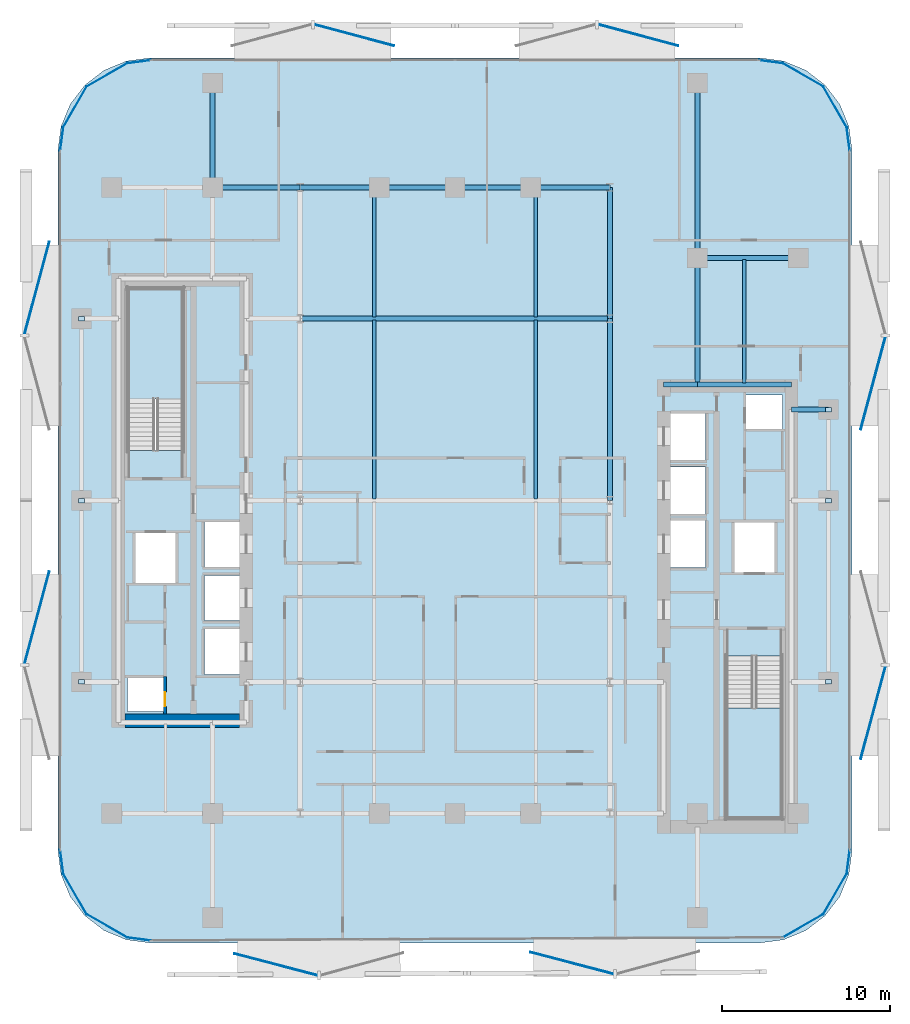
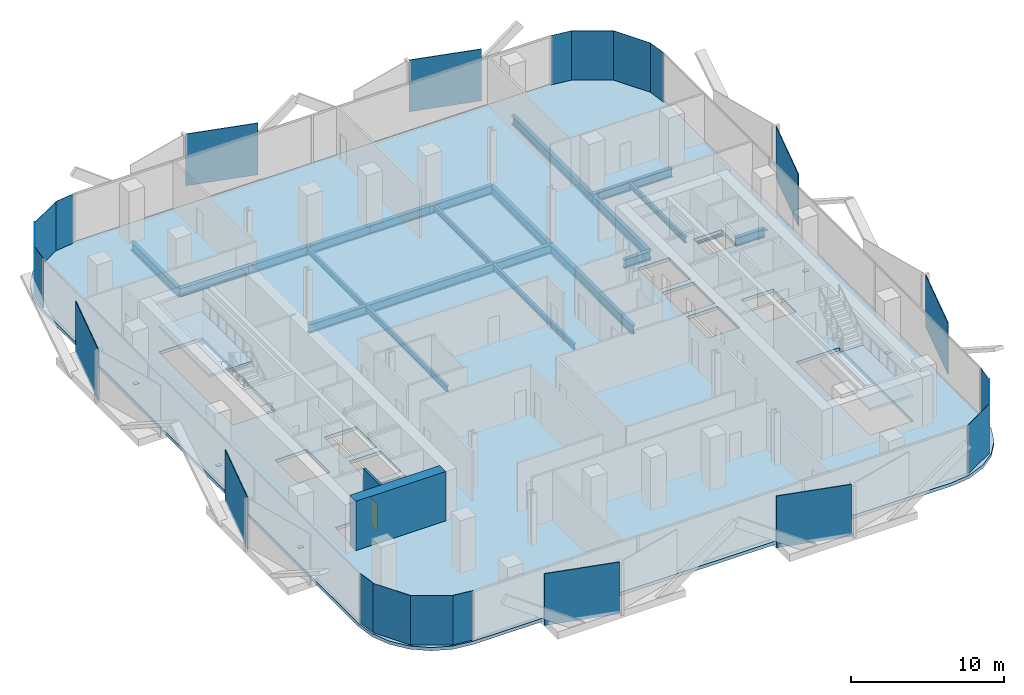
# One storey, part 2 of 15: 29 plates, 20 beams, 3 slabs, 2 walls, 1 door, 1 opening, 2 elements without a shape of their own.
"""IFC4 building model written with IfcOpenShell, lengths in metres."""

from ifc_helpers import new_model, si_unit, direction, frame, frame_2d, origin, origin_2d, place, context, subcontext, project, spatial, polyline, rectangle, i_section, outline, extrude, material, layer, layer_set, material_profile, profile_set, type_object, element, fill, aggregate, save


model = new_model("IFC4")

# Units and contexts
model_context = context("Model", 3, precision=1e-05, world=origin(), true_north=direction((0.0, 1.0)))
body_context = subcontext(model_context, "Body", "Model", "MODEL_VIEW")
ifc_project = project(units=[si_unit("LENGTHUNIT", "METRE"), si_unit("AREAUNIT", "SQUARE_METRE"), si_unit("VOLUMEUNIT", "CUBIC_METRE"), si_unit("PLANEANGLEUNIT", "RADIAN"), si_unit("MASSUNIT", "GRAM", prefix="KILO")], contexts=[model_context])

# Site, building, storey
site_placement = place(None, origin())
site = spatial("IfcSite", under=ifc_project, at=site_placement, CompositionType="ELEMENT")
building_placement = place(site_placement, origin())
building = spatial("IfcBuilding", under=site, at=building_placement, Name="Khairoan Windgate Tower", CompositionType="ELEMENT")
storey_placement = place(building_placement, frame((0.0, 0.0, 126.800048828125)))
storey = spatial("IfcBuildingStorey", under=building, at=storey_placement, Name="L29", CompositionType="ELEMENT", Elevation=126.800048828125)

# Beams
ifc_material_1 = material(Name="Steel S355", Category="steel")
ifc_material_profile_1 = material_profile(ifc_material_1, i_section(OverallWidth=0.300048828125, OverallDepth=0.699951171875, WebThickness=0.012939453125, FlangeThickness=0.02392578125, FilletRadius=0.02587890625, at=origin_2d()))
ifc_profile_set_1 = profile_set([ifc_material_profile_1], Name="Steel S355")
beam_type_1 = type_object("IfcBeamType", Name="Beam B-G3 H700x300x13x24", PredefinedType="BEAM", material=ifc_profile_set_1)
beam_1_placement = place(storey_placement, frame((20.0, 5.39990234375, -0.610107421875), z_axis=(1.0, 0.0, 0.0), x_axis=(0.0, 1.0, 0.0)))
element("IfcBeam", 1, at=beam_1_placement, inside=storey, type_object=beam_type_1, Name="L29 E-W Primary Girder 19", PredefinedType="BEAM", context=body_context, shape_type="SweptSolid", body=[
    extrude(i_section(OverallWidth=0.300048828125, OverallDepth=0.699951171875, WebThickness=0.012939453125, FlangeThickness=0.02392578125, FilletRadius=0.02587890625, at=origin_2d()), origin(), (0.0, 0.0, 1.0), 2.199951171875),
])
beam_2_placement = place(storey_placement, frame((12.39990234375, 6.89990234375, -0.610107421875), z_axis=(1.0, 0.0, 0.0), x_axis=(0.0, 1.0, 0.0)))
element("IfcBeam", 2, at=beam_2_placement, inside=storey, type_object=beam_type_1, Name="L29 E-W Primary Girder 20", PredefinedType="BEAM", context=body_context, shape_type="SweptSolid", body=[
    extrude(i_section(OverallWidth=0.300048828125, OverallDepth=0.699951171875, WebThickness=0.012939453125, FlangeThickness=0.02392578125, FilletRadius=0.02587890625, at=origin_2d()), origin(), (0.0, 0.0, 1.0), 2.0),
])
beam_3_placement = place(storey_placement, frame((14.39990234375, 6.89990234375, -0.610107421875), z_axis=(1.0, 0.0, 0.0), x_axis=(0.0, 1.0, 0.0)))
element("IfcBeam", 3, at=beam_3_placement, inside=storey, type_object=beam_type_1, Name="L29 E-W Primary Girder 21", PredefinedType="BEAM", context=body_context, shape_type="SweptSolid", body=[
    extrude(i_section(OverallWidth=0.300048828125, OverallDepth=0.699951171875, WebThickness=0.012939453125, FlangeThickness=0.02392578125, FilletRadius=0.02587890625, at=origin_2d()), origin(), (0.0, 0.0, 1.0), 5.60009765625),
])
beam_4_placement = place(storey_placement, frame((-9.199951171875, 10.800048828125, -0.610107421875), z_axis=(1.0, 0.0, 0.0), x_axis=(0.0, 1.0, 0.0)))
element("IfcBeam", 4, at=beam_4_placement, inside=storey, type_object=beam_type_1, Name="L29 E-W Primary Girder 24", PredefinedType="BEAM", context=body_context, shape_type="SweptSolid", body=[
    extrude(i_section(OverallWidth=0.300048828125, OverallDepth=0.699951171875, WebThickness=0.012939453125, FlangeThickness=0.02392578125, FilletRadius=0.02587890625, at=origin_2d()), origin(), (0.0, 0.0, 1.0), 18.39990234375),
])
beam_5_placement = place(storey_placement, frame((14.39990234375, 14.39990234375, -0.610107421875), z_axis=(1.0, 0.0, 0.0), x_axis=(0.0, 1.0, 0.0)))
element("IfcBeam", 5, at=beam_5_placement, inside=storey, type_object=beam_type_1, Name="L29 E-W Primary Girder 27", PredefinedType="BEAM", context=body_context, shape_type="SweptSolid", body=[
    extrude(i_section(OverallWidth=0.300048828125, OverallDepth=0.699951171875, WebThickness=0.012939453125, FlangeThickness=0.02392578125, FilletRadius=0.02587890625, at=origin_2d()), origin(), (0.0, 0.0, 1.0), 6.0),
])
beam_6_placement = place(storey_placement, frame((-14.39990234375, 18.60009765625, -0.610107421875), z_axis=(1.0, 0.0, 0.0), x_axis=(0.0, 1.0, 0.0)))
element("IfcBeam", 6, at=beam_6_placement, inside=storey, type_object=beam_type_1, Name="L29 E-W Primary Girder 29", PredefinedType="BEAM", context=body_context, shape_type="SweptSolid", body=[
    extrude(i_section(OverallWidth=0.300048828125, OverallDepth=0.699951171875, WebThickness=0.012939453125, FlangeThickness=0.02392578125, FilletRadius=0.02587890625, at=origin_2d()), origin(), (0.0, 0.0, 1.0), 5.199951171875),
])
beam_7_placement = place(storey_placement, frame((-9.199951171875, 18.60009765625, -0.610107421875), z_axis=(1.0, 0.0, 0.0), x_axis=(0.0, 1.0, 0.0)))
element("IfcBeam", 7, at=beam_7_placement, inside=storey, type_object=beam_type_1, Name="L29 E-W Primary Girder 30", PredefinedType="BEAM", context=body_context, shape_type="SweptSolid", body=[
    extrude(i_section(OverallWidth=0.300048828125, OverallDepth=0.699951171875, WebThickness=0.012939453125, FlangeThickness=0.02392578125, FilletRadius=0.02587890625, at=origin_2d()), origin(), (0.0, 0.0, 1.0), 4.699951171875),
])
for number, where, z_axis, x_axis, name in (
    (8, (-4.5, 18.60009765625, -0.610107421875), (1.0, 0.0, 0.0), (0.0, 1.0, 0.0), "L29 E-W Primary Girder 31"),
    (9, (0.0, 18.60009765625, -0.610107421875), (1.0, 0.0, 0.0), (0.0, 1.0, 0.0), "L29 E-W Primary Girder 32"),
):
    element("IfcBeam", number, at=place(storey_placement, frame(where, z_axis=z_axis, x_axis=x_axis)), inside=storey, type_object=beam_type_1, Name=name, PredefinedType="BEAM", context=body_context, shape_type="SweptSolid", body=[
        extrude(i_section(OverallWidth=0.300048828125, OverallDepth=0.699951171875, WebThickness=0.012939453125, FlangeThickness=0.02392578125, FilletRadius=0.02587890625, at=origin_2d()), origin(), (0.0, 0.0, 1.0), 4.5),
    ])
beam_8_placement = place(storey_placement, frame((4.5, 18.60009765625, -0.610107421875), z_axis=(1.0, 0.0, 0.0), x_axis=(0.0, 1.0, 0.0)))
element("IfcBeam", 10, at=beam_8_placement, inside=storey, type_object=beam_type_1, Name="L29 E-W Primary Girder 33", PredefinedType="BEAM", context=body_context, shape_type="SweptSolid", body=[
    extrude(i_section(OverallWidth=0.300048828125, OverallDepth=0.699951171875, WebThickness=0.012939453125, FlangeThickness=0.02392578125, FilletRadius=0.02587890625, at=origin_2d()), origin(), (0.0, 0.0, 1.0), 4.699951171875),
])
beam_9_placement = place(storey_placement, frame((-14.39990234375, 18.60009765625, -0.610107421875), z_axis=(0.0, 1.0, 0.0), x_axis=(-1.0, 0.0, 0.0)))
element("IfcBeam", 11, at=beam_9_placement, inside=storey, type_object=beam_type_1, Name="L29 N-S Primary Beam 43", PredefinedType="BEAM", context=body_context, shape_type="SweptSolid", body=[
    extrude(i_section(OverallWidth=0.300048828125, OverallDepth=0.699951171875, WebThickness=0.012939453125, FlangeThickness=0.02392578125, FilletRadius=0.02587890625, at=origin_2d()), origin(), (0.0, 0.0, 1.0), 6.199951171875),
])
beam_10_placement = place(storey_placement, frame((9.199951171875, 0.0, -0.610107421875), z_axis=(0.0, 1.0, 0.0), x_axis=(-1.0, 0.0, 0.0)))
element("IfcBeam", 12, at=beam_10_placement, inside=storey, type_object=beam_type_1, Name="L29 N-S Primary Beam 53", PredefinedType="BEAM", context=body_context, shape_type="SweptSolid", body=[
    extrude(i_section(OverallWidth=0.300048828125, OverallDepth=0.699951171875, WebThickness=0.012939453125, FlangeThickness=0.02392578125, FilletRadius=0.02587890625, at=origin_2d()), origin(), (0.0, 0.0, 1.0), 10.800048828125),
])
beam_11_placement = place(storey_placement, frame((9.199951171875, 10.800048828125, -0.610107421875), z_axis=(0.0, 1.0, 0.0), x_axis=(-1.0, 0.0, 0.0)))
element("IfcBeam", 13, at=beam_11_placement, inside=storey, type_object=beam_type_1, Name="L29 N-S Primary Beam 54", PredefinedType="BEAM", context=body_context, shape_type="SweptSolid", body=[
    extrude(i_section(OverallWidth=0.300048828125, OverallDepth=0.699951171875, WebThickness=0.012939453125, FlangeThickness=0.02392578125, FilletRadius=0.02587890625, at=origin_2d()), origin(), (0.0, 0.0, 1.0), 7.800048828125),
])
beam_12_placement = place(storey_placement, frame((14.39990234375, 6.89990234375, -0.610107421875), z_axis=(0.0, 1.0, 0.0), x_axis=(-1.0, 0.0, 0.0)))
element("IfcBeam", 14, at=beam_12_placement, inside=storey, type_object=beam_type_1, Name="L29 N-S Primary Beam 57", PredefinedType="BEAM", context=body_context, shape_type="SweptSolid", body=[
    extrude(i_section(OverallWidth=0.300048828125, OverallDepth=0.699951171875, WebThickness=0.012939453125, FlangeThickness=0.02392578125, FilletRadius=0.02587890625, at=origin_2d()), origin(), (0.0, 0.0, 1.0), 7.5),
])
beam_13_placement = place(storey_placement, frame((14.39990234375, 14.39990234375, -0.610107421875), z_axis=(0.0, 1.0, 0.0), x_axis=(-1.0, 0.0, 0.0)))
element("IfcBeam", 15, at=beam_13_placement, inside=storey, type_object=beam_type_1, Name="L29 N-S Primary Beam 58", PredefinedType="BEAM", context=body_context, shape_type="SweptSolid", body=[
    extrude(i_section(OverallWidth=0.300048828125, OverallDepth=0.699951171875, WebThickness=0.012939453125, FlangeThickness=0.02392578125, FilletRadius=0.02587890625, at=origin_2d()), origin(), (0.0, 0.0, 1.0), 10.400146484375),
])
ifc_material_2 = material(Name="Steel S355", Category="steel")
ifc_material_profile_2 = material_profile(ifc_material_2, i_section(OverallWidth=0.199951171875, OverallDepth=0.449951171875, WebThickness=0.009033203125, FlangeThickness=0.013916015625, FilletRadius=0.01806640625, at=origin_2d()))
ifc_profile_set_2 = profile_set([ifc_material_profile_2], Name="Steel S355")
beam_type_2 = type_object("IfcBeamType", Name="Beam J-S3 H450x200x9x14", PredefinedType="JOIST", material=ifc_profile_set_2)
beam_14_placement = place(storey_placement, frame((-4.800048828125, 0.090087890625, -0.485107421875), z_axis=(0.0, 1.0, 0.0), x_axis=(-1.0, 0.0, 0.0)))
element("IfcBeam", 16, at=beam_14_placement, inside=storey, type_object=beam_type_2, Name="L29 Secondary Floor Joist 05", PredefinedType="JOIST", context=body_context, shape_type="SweptSolid", body=[
    extrude(i_section(OverallWidth=0.199951171875, OverallDepth=0.449951171875, WebThickness=0.009033203125, FlangeThickness=0.013916015625, FilletRadius=0.01806640625, at=origin_2d()), origin(), (0.0, 0.0, 1.0), 10.619873046875),
])
beam_15_placement = place(storey_placement, frame((-4.800048828125, 10.889892578125, -0.485107421875), z_axis=(0.0, 1.0, 0.0), x_axis=(-1.0, 0.0, 0.0)))
element("IfcBeam", 17, at=beam_15_placement, inside=storey, type_object=beam_type_2, Name="L29 Secondary Floor Joist 06", PredefinedType="JOIST", context=body_context, shape_type="SweptSolid", body=[
    extrude(i_section(OverallWidth=0.199951171875, OverallDepth=0.449951171875, WebThickness=0.009033203125, FlangeThickness=0.013916015625, FilletRadius=0.01806640625, at=origin_2d()), origin(), (0.0, 0.0, 1.0), 7.6201171875),
])
beam_16_placement = place(storey_placement, frame((4.800048828125, 0.090087890625, -0.485107421875), z_axis=(0.0, 1.0, 0.0), x_axis=(-1.0, 0.0, 0.0)))
element("IfcBeam", 18, at=beam_16_placement, inside=storey, type_object=beam_type_2, Name="L29 Secondary Floor Joist 09", PredefinedType="JOIST", context=body_context, shape_type="SweptSolid", body=[
    extrude(i_section(OverallWidth=0.199951171875, OverallDepth=0.449951171875, WebThickness=0.009033203125, FlangeThickness=0.013916015625, FilletRadius=0.01806640625, at=origin_2d()), origin(), (0.0, 0.0, 1.0), 10.619873046875),
])
beam_17_placement = place(storey_placement, frame((4.800048828125, 10.889892578125, -0.485107421875), z_axis=(0.0, 1.0, 0.0), x_axis=(-1.0, 0.0, 0.0)))
element("IfcBeam", 19, at=beam_17_placement, inside=storey, type_object=beam_type_2, Name="L29 Secondary Floor Joist 10", PredefinedType="JOIST", context=body_context, shape_type="SweptSolid", body=[
    extrude(i_section(OverallWidth=0.199951171875, OverallDepth=0.449951171875, WebThickness=0.009033203125, FlangeThickness=0.013916015625, FilletRadius=0.01806640625, at=origin_2d()), origin(), (0.0, 0.0, 1.0), 7.6201171875),
])
beam_18_placement = place(storey_placement, frame((17.199951171875, 6.989990234375, -0.485107421875), z_axis=(0.0, 1.0, 0.0), x_axis=(-1.0, 0.0, 0.0)))
element("IfcBeam", 20, at=beam_18_placement, inside=storey, type_object=beam_type_2, Name="L29 Secondary Floor Joist 11", PredefinedType="JOIST", context=body_context, shape_type="SweptSolid", body=[
    extrude(i_section(OverallWidth=0.199951171875, OverallDepth=0.449951171875, WebThickness=0.009033203125, FlangeThickness=0.013916015625, FilletRadius=0.01806640625, at=origin_2d()), origin(), (0.0, 0.0, 1.0), 7.320068359375),
])

# Plates
ifc_material_3 = material(Name="Low-E Solar Control Laminated Glass", Category="glass")
ifc_layer_1 = layer(ifc_material_3, 0.030029296875, Name="Low-E Solar Control Laminated Glass")
ifc_layer_set_1 = layer_set([ifc_layer_1], Name="Low-E Solar Control Laminated Glass")
plate_type_1 = type_object("IfcPlateType", Name="Aerodynamic Wind-Corner Curved Glazing Plate", PredefinedType="USERDEFINED", material=ifc_layer_set_1)
plate_placement = place(storey_placement, frame((-18.788818359375, -26.068115234375, 0.0), z_axis=(0.0, 0.0, 1.0), x_axis=(-0.991444861374, 0.13052619222, 0.0)))
element("IfcPlate", 21, at=plate_placement, inside=storey, type_object=plate_type_1, Name="L29 Aerodynamic Wind-Corner Curved Glazing Panel 2", ObjectType="GLAZING PANEL", PredefinedType="USERDEFINED", context=body_context, shape_type="SweptSolid", body=[
    extrude(rectangle(XDim=1.4482421875, YDim=0.028076171875, at=origin_2d()), origin(), (0.0, 0.0, 1.0), 3.93994140625),
])
for number, where, z_axis, x_axis, name in (
    (22, (-20.688232421875, -25.28271484375, 0.0), (0.0, 0.0, 1.0), (-0.866025403784, 0.5, 0.0), "L29 Aerodynamic Wind-Corner Curved Glazing Panel 3"),
    (23, (-22.582763671875, -23.38818359375, 0.0), (0.0, 0.0, 1.0), (-0.5, 0.866025403784, 0.0), "L29 Aerodynamic Wind-Corner Curved Glazing Panel 4"),
):
    element("IfcPlate", number, at=place(storey_placement, frame(where, z_axis=z_axis, x_axis=x_axis)), inside=storey, type_object=plate_type_1, Name=name, ObjectType="GLAZING PANEL", PredefinedType="USERDEFINED", context=body_context, shape_type="SweptSolid", body=[
        extrude(rectangle(XDim=2.81396484375, YDim=0.028076171875, at=origin_2d()), origin(), (0.0, 0.0, 1.0), 3.93994140625),
    ])
for number, where, z_axis, x_axis, name in (
    (24, (-23.3681640625, -21.489013671875, 0.0), (0.0, 0.0, 1.0), (-0.13052619222, 0.991444861374, 0.0), "L29 Aerodynamic Wind-Corner Curved Glazing Panel 5"),
    (25, (-23.3681640625, 21.489013671875, 0.0), (0.0, 0.0, 1.0), (0.13052619222, 0.991444861374, 0.0), "L29 Aerodynamic Wind-Corner Curved Glazing Panel 7"),
):
    element("IfcPlate", number, at=place(storey_placement, frame(where, z_axis=z_axis, x_axis=x_axis)), inside=storey, type_object=plate_type_1, Name=name, ObjectType="GLAZING PANEL", PredefinedType="USERDEFINED", context=body_context, shape_type="SweptSolid", body=[
        extrude(rectangle(XDim=1.4482421875, YDim=0.028076171875, at=origin_2d()), origin(), (0.0, 0.0, 1.0), 3.93994140625),
    ])
for number, where, z_axis, x_axis, name in (
    (26, (-22.582763671875, 23.38818359375, 0.0), (0.0, 0.0, 1.0), (0.5, 0.866025403784, 0.0), "L29 Aerodynamic Wind-Corner Curved Glazing Panel 8"),
    (27, (-20.688232421875, 25.28271484375, 0.0), (0.0, 0.0, 1.0), (0.866025403784, 0.5, 0.0), "L29 Aerodynamic Wind-Corner Curved Glazing Panel 9"),
):
    element("IfcPlate", number, at=place(storey_placement, frame(where, z_axis=z_axis, x_axis=x_axis)), inside=storey, type_object=plate_type_1, Name=name, ObjectType="GLAZING PANEL", PredefinedType="USERDEFINED", context=body_context, shape_type="SweptSolid", body=[
        extrude(rectangle(XDim=2.81396484375, YDim=0.028076171875, at=origin_2d()), origin(), (0.0, 0.0, 1.0), 3.93994140625),
    ])
for number, where, z_axis, x_axis, name in (
    (28, (-18.788818359375, 26.068115234375, 0.0), (0.0, 0.0, 1.0), (0.991444861374, 0.13052619222, 0.0), "L29 Aerodynamic Wind-Corner Curved Glazing Panel 10"),
    (29, (18.788818359375, 26.068115234375, 0.0), (0.0, 0.0, 1.0), (0.991444861374, -0.13052619222, 0.0), "L29 Aerodynamic Wind-Corner Curved Glazing Panel 12"),
):
    element("IfcPlate", number, at=place(storey_placement, frame(where, z_axis=z_axis, x_axis=x_axis)), inside=storey, type_object=plate_type_1, Name=name, ObjectType="GLAZING PANEL", PredefinedType="USERDEFINED", context=body_context, shape_type="SweptSolid", body=[
        extrude(rectangle(XDim=1.4482421875, YDim=0.028076171875, at=origin_2d()), origin(), (0.0, 0.0, 1.0), 3.93994140625),
    ])
for number, where, z_axis, x_axis, name in (
    (30, (20.688232421875, 25.28271484375, 0.0), (0.0, 0.0, 1.0), (0.866025403784, -0.5, 0.0), "L29 Aerodynamic Wind-Corner Curved Glazing Panel 13"),
    (31, (22.582763671875, 23.38818359375, 0.0), (0.0, 0.0, 1.0), (0.5, -0.866025403784, 0.0), "L29 Aerodynamic Wind-Corner Curved Glazing Panel 14"),
):
    element("IfcPlate", number, at=place(storey_placement, frame(where, z_axis=z_axis, x_axis=x_axis)), inside=storey, type_object=plate_type_1, Name=name, ObjectType="GLAZING PANEL", PredefinedType="USERDEFINED", context=body_context, shape_type="SweptSolid", body=[
        extrude(rectangle(XDim=2.81396484375, YDim=0.028076171875, at=origin_2d()), origin(), (0.0, 0.0, 1.0), 3.93994140625),
    ])
for number, where, z_axis, x_axis, name in (
    (32, (23.3681640625, 21.489013671875, 0.0), (0.0, 0.0, 1.0), (0.13052619222, -0.991444861374, 0.0), "L29 Aerodynamic Wind-Corner Curved Glazing Panel 15"),
    (33, (23.3681640625, -21.489013671875, 0.0), (0.0, 0.0, 1.0), (-0.13052619222, -0.991444861374, 0.0), "L29 Aerodynamic Wind-Corner Curved Glazing Panel 17"),
):
    element("IfcPlate", number, at=place(storey_placement, frame(where, z_axis=z_axis, x_axis=x_axis)), inside=storey, type_object=plate_type_1, Name=name, ObjectType="GLAZING PANEL", PredefinedType="USERDEFINED", context=body_context, shape_type="SweptSolid", body=[
        extrude(rectangle(XDim=1.4482421875, YDim=0.028076171875, at=origin_2d()), origin(), (0.0, 0.0, 1.0), 3.93994140625),
    ])
for number, where, z_axis, x_axis, name in (
    (34, (22.582763671875, -23.38818359375, 0.0), (0.0, 0.0, 1.0), (-0.5, -0.866025403784, 0.0), "L29 Aerodynamic Wind-Corner Curved Glazing Panel 18"),
    (35, (20.688232421875, -25.28271484375, 0.0), (0.0, 0.0, 1.0), (-0.866025403784, -0.5, 0.0), "L29 Aerodynamic Wind-Corner Curved Glazing Panel 19"),
):
    element("IfcPlate", number, at=place(storey_placement, frame(where, z_axis=z_axis, x_axis=x_axis)), inside=storey, type_object=plate_type_1, Name=name, ObjectType="GLAZING PANEL", PredefinedType="USERDEFINED", context=body_context, shape_type="SweptSolid", body=[
        extrude(rectangle(XDim=2.81396484375, YDim=0.028076171875, at=origin_2d()), origin(), (0.0, 0.0, 1.0), 3.93994140625),
    ])
ifc_material_4 = material(Name="Steel S355", Category="steel")
ifc_layer_2 = layer(ifc_material_4, 0.0400390625, Name="Steel S355")
ifc_layer_set_2 = layer_set([ifc_layer_2], Name="Steel S355")
plate_type_2 = type_object("IfcPlateType", Name="Hollow Section End-Cap Plate PL-CAP40", PredefinedType="SHEET", material=ifc_layer_set_2)
for number, where, z_axis, x_axis, name in (
    (36, (-22.199951171875, -10.784912109375, -0.455078125), (0.0, 0.0, 1.0), (0.0, 1.0, 0.0), "BM-SP-L29-034 steel end-cap plate 1"),
    (37, (-22.199951171875, -0.014892578125, -0.455078125), (0.0, 0.0, 1.0), (0.0, 1.0, 0.0), "BM-SP-L29-034 steel end-cap plate 2"),
    (38, (-22.199951171875, 10.784912109375, -0.455078125), (0.0, 0.0, 1.0), (0.0, 1.0, 0.0), "BM-SP-L29-035 steel end-cap plate 2"),
    (39, (22.199951171875, -10.784912109375, -0.455078125), (0.0, 0.0, 1.0), (0.0, 1.0, 0.0), "BM-SP-L29-062 steel end-cap plate 1"),
    (40, (22.199951171875, -0.014892578125, -0.455078125), (0.0, 0.0, 1.0), (0.0, 1.0, 0.0), "BM-SP-L29-062 steel end-cap plate 2"),
    (41, (22.199951171875, 5.385009765625, -0.455078125), (0.0, 0.0, 1.0), (0.0, 1.0, 0.0), "BM-SP-L29-063 steel end-cap plate 2"),
):
    element("IfcPlate", number, at=place(storey_placement, frame(where, z_axis=z_axis, x_axis=x_axis)), inside=storey, type_object=plate_type_2, Name=name, PredefinedType="SHEET", context=body_context, shape_type="SweptSolid", body=[
        extrude(rectangle(XDim=0.27001953125, YDim=0.3701171875, at=origin_2d()), origin(), (0.0, 0.0, 1.0), 0.0400390625),
    ])
ifc_material_5 = material(Name="Anodised Bronze Aluminium 6063-T6", Category="aluminium")
ifc_layer_3 = layer(ifc_material_5, 0.054931640625, Name="Anodised Bronze Aluminium 6063-T6")
ifc_layer_set_3 = layer_set([ifc_layer_3], Name="Anodised Bronze Aluminium 6063-T6")
plate_type_3 = type_object("IfcPlateType", Name="Perforated Bronze Solar Screen Panel BSP-1", PredefinedType="USERDEFINED", material=ifc_layer_set_3)
for number, where, z_axis, x_axis, name in (
    (42, (6.946044921875, -27.497314453125, -0.10009765625), (0.0, 0.0, 1.0), (-0.967179115616, 0.254095569259, 0.0), "L29 Perforated Bronze Solar Screen Panel 177R"),
    (43, (-10.642822265625, -27.58349609375, -0.10009765625), (0.0, 0.0, 1.0), (-0.967179115616, 0.254095569259, 0.0), "L29 Perforated Bronze Solar Screen Panel 178R"),
):
    element("IfcPlate", number, at=place(storey_placement, frame(where, z_axis=z_axis, x_axis=x_axis)), inside=storey, type_object=plate_type_3, Name=name, ObjectType="SCREEN", PredefinedType="USERDEFINED", context=body_context, shape_type="SweptSolid", body=[
        extrude(rectangle(XDim=5.10107421875, YDim=0.054931640625, at=origin_2d()), origin(), (0.0, 0.0, 1.0), 4.139892578125),
    ])
for number, where, z_axis, x_axis, name in (
    (44, (-24.8447265625, -6.961669921875, -0.10009765625), (0.0, 0.0, 1.0), (0.258819045103, 0.965925826289, 0.0), "L29 Perforated Bronze Solar Screen Panel 179R"),
    (45, (-24.8447265625, 12.629150390625, -0.10009765625), (0.0, 0.0, 1.0), (0.258819045103, 0.965925826289, 0.0), "L29 Perforated Bronze Solar Screen Panel 180R"),
):
    element("IfcPlate", number, at=place(storey_placement, frame(where, z_axis=z_axis, x_axis=x_axis)), inside=storey, type_object=plate_type_3, Name=name, ObjectType="SCREEN", PredefinedType="USERDEFINED", context=body_context, shape_type="SweptSolid", body=[
        extrude(rectangle(XDim=5.680908203125, YDim=0.054931640625, at=origin_2d()), origin(), (0.0, 0.0, 1.0), 4.139892578125),
    ])
for number, where, z_axis, x_axis, name in (
    (46, (-5.98974609375, 27.646240234375, -0.10009765625), (0.0, 0.0, 1.0), (0.965925826289, -0.258819045103, 0.0), "L29 Perforated Bronze Solar Screen Panel 181R"),
    (47, (10.90087890625, 27.646240234375, -0.10009765625), (0.0, 0.0, 1.0), (0.965925826289, -0.258819045103, 0.0), "L29 Perforated Bronze Solar Screen Panel 182R"),
):
    element("IfcPlate", number, at=place(storey_placement, frame(where, z_axis=z_axis, x_axis=x_axis)), inside=storey, type_object=plate_type_3, Name=name, ObjectType="SCREEN", PredefinedType="USERDEFINED", context=body_context, shape_type="SweptSolid", body=[
        extrude(rectangle(XDim=4.89794921875, YDim=0.054931640625, at=origin_2d()), origin(), (0.0, 0.0, 1.0), 4.139892578125),
    ])
for number, where, z_axis, x_axis, name in (
    (48, (24.8447265625, 6.961669921875, -0.10009765625), (0.0, 0.0, 1.0), (-0.258819045103, -0.965925826289, 0.0), "L29 Perforated Bronze Solar Screen Panel 183R"),
    (49, (24.8447265625, -12.629150390625, -0.10009765625), (0.0, 0.0, 1.0), (-0.258819045103, -0.965925826289, 0.0), "L29 Perforated Bronze Solar Screen Panel 184R"),
):
    element("IfcPlate", number, at=place(storey_placement, frame(where, z_axis=z_axis, x_axis=x_axis)), inside=storey, type_object=plate_type_3, Name=name, ObjectType="SCREEN", PredefinedType="USERDEFINED", context=body_context, shape_type="SweptSolid", body=[
        extrude(rectangle(XDim=5.680908203125, YDim=0.054931640625, at=origin_2d()), origin(), (0.0, 0.0, 1.0), 4.139892578125),
    ])

# Stair, slab
ifc_material_6 = material(Name="Concrete C40/50", Category="concrete")
stair_type = type_object("IfcStairType", Name="Tower Core Dog-Leg Stair ST-T1 1560mm", PredefinedType="HALF_TURN_STAIR", material=ifc_material_6)
stair_1_placement = place(storey_placement, origin())
stair_1 = element("IfcStair", 50, at=stair_1_placement, inside=storey, type_object=stair_type, Name="L29 Stair ST1", PredefinedType="HALF_TURN_STAIR")
ifc_material_7 = material(Name="Concrete C40/50", Category="concrete")
ifc_layer_4 = layer(ifc_material_7, 0.199951171875, Name="Concrete C40/50")
ifc_layer_set_4 = layer_set([ifc_layer_4], Name="Concrete C40/50")
slab_type_1 = type_object("IfcSlabType", Name="Reinforced Concrete Stair Landing Slab STL-200", PredefinedType="LANDING", material=ifc_layer_set_4)
slab_1_placement = place(storey_placement, frame((0.0, 0.0, 1.89990234375)))
slab_1 = element("IfcSlab", 51, at=slab_1_placement, type_object=slab_type_1, Name="ST1 landing 1", PredefinedType="LANDING", context=body_context, shape_type="SweptSolid", body=[
    extrude(outline(polyline([(16.14990234375, -12.340087890625), (16.14990234375, -18.89990234375), (19.419921875, -18.89990234375), (19.419921875, -12.340087890625), (16.14990234375, -12.340087890625)])), origin(), (0.0, 0.0, 1.0), 0.199951171875),
])
aggregate(stair_1, [slab_1])

stair_2_placement = place(storey_placement, origin())
stair_2 = element("IfcStair", 52, at=stair_2_placement, inside=storey, type_object=stair_type, Name="L29 Stair ST2", PredefinedType="HALF_TURN_STAIR")
slab_2_placement = place(storey_placement, frame((0.0, 0.0, 1.89990234375)))
slab_2 = element("IfcSlab", 53, at=slab_2_placement, type_object=slab_type_1, Name="ST2 landing 1", PredefinedType="LANDING", context=body_context, shape_type="SweptSolid", body=[
    extrude(outline(polyline([(-16.14990234375, 6.0400390625), (-16.14990234375, 12.60009765625), (-19.419921875, 12.60009765625), (-19.419921875, 6.0400390625), (-16.14990234375, 6.0400390625)])), origin(), (0.0, 0.0, 1.0), 0.199951171875),
])
aggregate(stair_2, [slab_2])

# Slab
ifc_material_8 = material(Name="Concrete C40/50", Category="concrete")
ifc_layer_5 = layer(ifc_material_8, 0.260009765625, Name="Concrete C40/50")
ifc_layer_set_5 = layer_set([ifc_layer_5], Name="Concrete C40/50")
slab_type_2 = type_object("IfcSlabType", Name="Tower Composite Floor Slab FS2 260mm", PredefinedType="FLOOR", material=ifc_layer_set_5)
slab_3_placement = place(storey_placement, frame((0.0, 0.0, -0.260009765625)))
element("IfcSlab", 54, at=slab_3_placement, inside=storey, type_object=slab_type_2, Name="L29 Structural Floor Slab", PredefinedType="FLOOR", context=body_context, shape_type="SweptSolid", body=[
    extrude(outline(polyline([(18.10009765625, -26.300048828125), (19.5234375, -26.112548828125), (20.85009765625, -25.56298828125), (21.989013671875, -24.689208984375), (22.863037109375, -23.550048828125), (23.41259765625, -22.223388671875), (23.60009765625, -20.800048828125), (23.60009765625, 20.800048828125), (23.41259765625, 22.223388671875), (22.863037109375, 23.550048828125), (21.989013671875, 24.689208984375), (20.85009765625, 25.56298828125), (19.5234375, 26.112548828125), (18.10009765625, 26.300048828125), (-18.10009765625, 26.300048828125), (-19.5234375, 26.112548828125), (-20.85009765625, 25.56298828125), (-21.989013671875, 24.689208984375), (-22.863037109375, 23.550048828125), (-23.41259765625, 22.223388671875), (-23.60009765625, 20.800048828125), (-23.60009765625, -20.800048828125), (-23.41259765625, -22.223388671875), (-22.863037109375, -23.550048828125), (-21.989013671875, -24.689208984375), (-20.85009765625, -25.56298828125), (-19.5234375, -26.112548828125), (-18.10009765625, -26.300048828125), (18.10009765625, -26.300048828125)]), holes=[polyline([(16.14990234375, -9.260009765625), (16.14990234375, -18.89990234375), (19.419921875, -18.89990234375), (19.419921875, -9.260009765625), (16.14990234375, -9.260009765625)]), polyline([(-16.14990234375, 2.9599609375), (-16.14990234375, 12.60009765625), (-19.419921875, 12.60009765625), (-19.419921875, 2.9599609375), (-16.14990234375, 2.9599609375)]), polyline([(-14.89990234375, -3.949951171875), (-12.5, -3.949951171875), (-12.5, -1.25), (-14.89990234375, -1.25), (-14.89990234375, -3.949951171875)]), polyline([(-14.89990234375, -7.14990234375), (-12.5, -7.14990234375), (-12.5, -4.449951171875), (-14.89990234375, -4.449951171875), (-14.89990234375, -7.14990234375)]), polyline([(-14.89990234375, -10.35009765625), (-12.5, -10.35009765625), (-12.5, -7.64990234375), (-14.89990234375, -7.64990234375), (-14.89990234375, -10.35009765625)]), polyline([(12.5, 2.39990234375), (14.89990234375, 2.39990234375), (14.89990234375, 5.199951171875), (12.5, 5.199951171875), (12.5, 2.39990234375)]), polyline([(12.5, -0.800048828125), (14.89990234375, -0.800048828125), (14.89990234375, 2.0), (12.5, 2.0), (12.5, -0.800048828125)]), polyline([(12.5, -4.0), (14.89990234375, -4.0), (14.89990234375, -1.199951171875), (12.5, -1.199951171875), (12.5, -4.0)]), polyline([(16.60009765625, -4.300048828125), (19.0, -4.300048828125), (19.0, -1.300048828125), (16.60009765625, -1.300048828125), (16.60009765625, -4.300048828125)]), polyline([(-19.0, -4.89990234375), (-16.60009765625, -4.89990234375), (-16.60009765625, -1.89990234375), (-19.0, -1.89990234375), (-19.0, -4.89990234375)]), polyline([(-19.449951171875, -12.550048828125), (-17.31005859375, -12.550048828125), (-17.31005859375, -10.550048828125), (-19.449951171875, -10.550048828125), (-19.449951171875, -12.550048828125)]), polyline([(17.31005859375, 4.25), (19.449951171875, 4.25), (19.449951171875, 6.25), (17.31005859375, 6.25), (17.31005859375, 4.25)])]), origin(), (0.0, 0.0, 1.0), 0.260009765625),
])

# Wall, opening, door
ifc_material_9 = material(Name="Concrete C40/50", Category="concrete")
ifc_layer_6 = layer(ifc_material_9, 0.159912109375, Name="Concrete C40/50")
ifc_layer_set_6 = layer_set([ifc_layer_6], Name="Concrete C40/50")
wall_type_1 = type_object("IfcWallType", Name="Plant and Refuge Compartment Wall", PredefinedType="PARTITIONING", material=ifc_layer_set_6)
wall_1_placement = place(storey_placement, frame((-17.22998046875, -12.699951171875, 0.0), z_axis=(0.0, 0.0, 1.0), x_axis=(0.0, 1.0, 0.0)))
wall_1 = element("IfcWall", 55, at=wall_1_placement, inside=storey, type_object=wall_type_1, Name="L29 Interior Partition 001", PredefinedType="PARTITIONING", context=body_context, shape_type="SweptSolid", body=[
    extrude(rectangle(XDim=2.22998046875, YDim=0.159912109375, at=frame_2d((1.114990234375, 0.0))), origin(), (0.0, 0.0, 1.0), 3.93994140625),
])
opening_placement = place(wall_1_placement, frame((0.4599609375, 0.0, 0.0)))
opening = element("IfcOpeningElement", 56, at=opening_placement, cuts=wall_1, Name="Opening FD-SRV", PredefinedType="OPENING", context=body_context, shape_type="SweptSolid", body=[
    extrude(rectangle(XDim=0.85009765625, YDim=2.10009765625, at=frame_2d((0.425048828125, 1.050048828125))), frame((0.0, 0.08984375, 0.0), z_axis=(0.0, -1.0, 0.0), x_axis=(1.0, 0.0, 0.0)), (0.0, 0.0, 1.0), 0.179931640625),
])
ifc_material_10 = material(Name="Steel S355", Category="steel")
door_type = type_object("IfcDoorType", Name="Core Service and Riser Fire Door FD-SRV 850x2100", OperationType="NOTDEFINED", PredefinedType="DOOR", material=ifc_material_10)
door_placement = place(opening_placement, origin())
door = element("IfcDoor", 57, at=door_placement, inside=storey, type_object=door_type, Name="L29 L29-04-L29-05 Door", OperationType="SINGLE_SWING_LEFT", OverallHeight=2.10009765625, OverallWidth=0.85009765625, PredefinedType="DOOR", context=body_context, shape_type="SweptSolid", body=[
    extrude(rectangle(XDim=0.85009765625, YDim=2.10009765625, at=frame_2d((0.425048828125, 1.050048828125))), frame((0.0, 0.02490234375, 0.0), z_axis=(0.0, -1.0, 0.0), x_axis=(1.0, 0.0, 0.0)), (0.0, 0.0, 1.0), 0.050048828125),
])
fill(opening, door)

# Wall
ifc_material_11 = material(Name="Concrete C70/85", Category="concrete")
ifc_layer_7 = layer(ifc_material_11, 0.800048828125, Name="Concrete C70/85")
ifc_layer_set_7 = layer_set([ifc_layer_7], Name="Concrete C70/85")
wall_type_2 = type_object("IfcWallType", Name="Shear Wall CW-W1 800mm", PredefinedType="SHEAR", material=ifc_layer_set_7)
wall_2_placement = place(storey_placement, frame((-19.60009765625, -13.10009765625, 0.0), z_axis=(0.0, 0.0, 1.0), x_axis=(1.0, 0.0, 0.0)))
element("IfcWall", 58, at=wall_2_placement, inside=storey, type_object=wall_type_2, Name="W Core South Shear Wall L29", PredefinedType="SHEAR", context=body_context, shape_type="SweptSolid", body=[
    extrude(rectangle(XDim=6.800048828125, YDim=0.800048828125, at=frame_2d((3.39990234375, 0.0))), origin(), (0.0, 0.0, 1.0), 3.93994140625),
])

save(model, "model.ifc")
